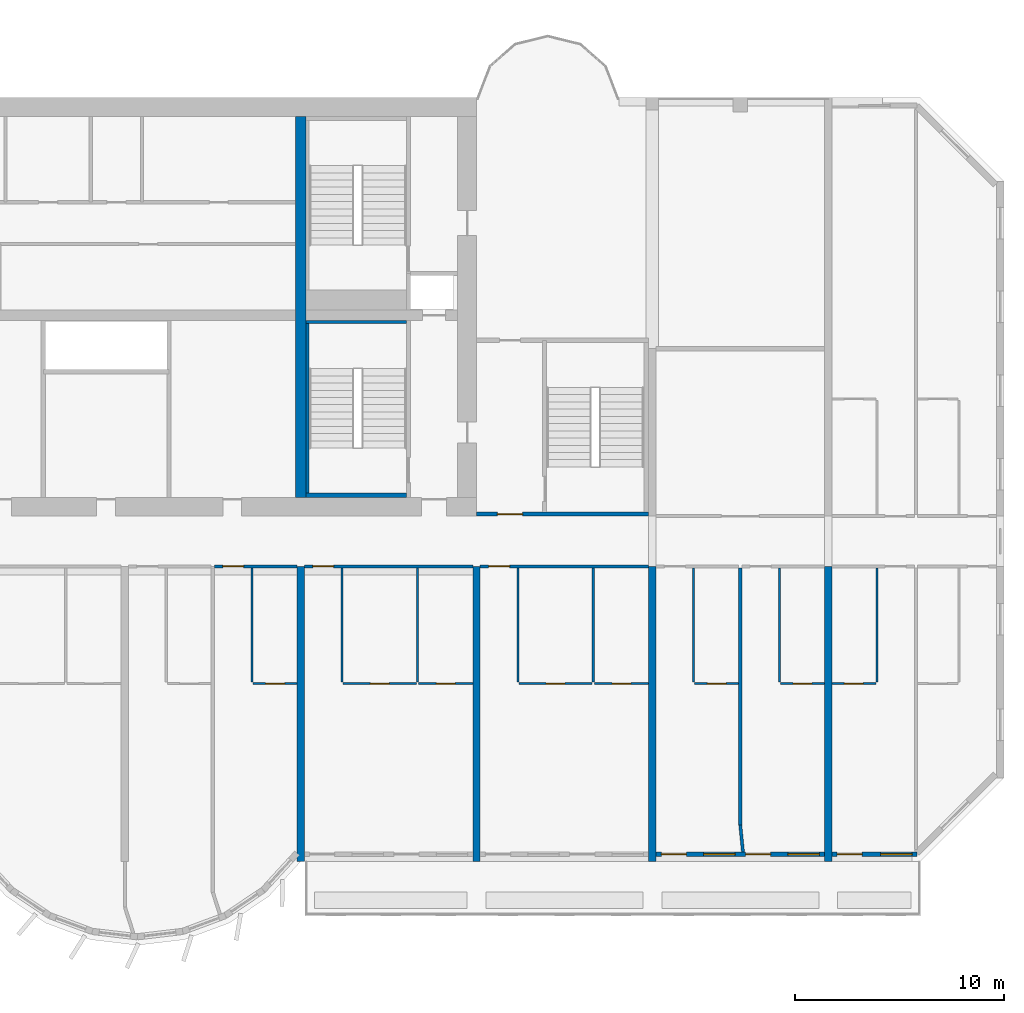
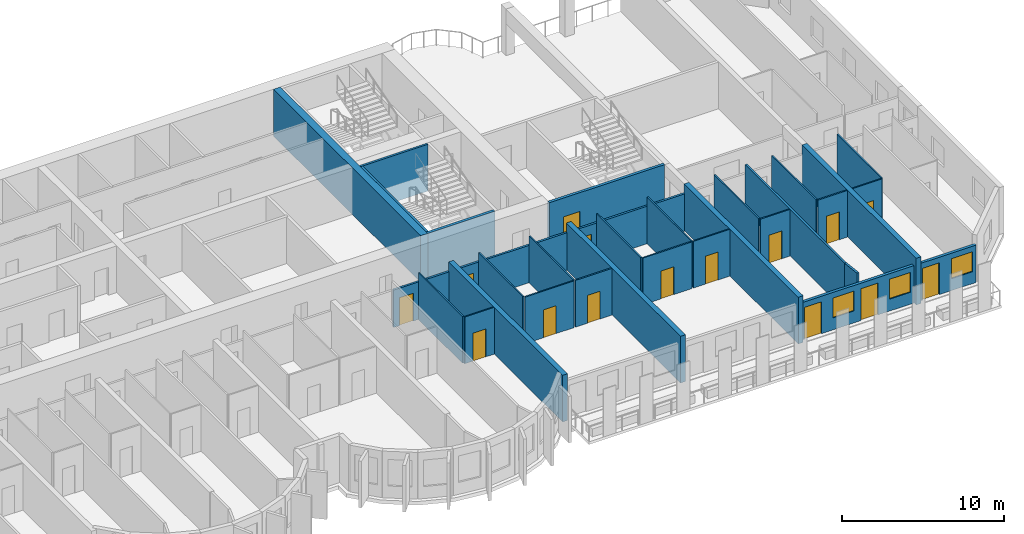
# One storey, part 9 of 15: 32 walls, 15 doors, 3 windows, 18 openings.
"""IFC4 building model written with IfcOpenShell, lengths in metres."""

from ifc_helpers import new_model, si_unit, direction, frame, frame_2d, origin, place, context, subcontext, project, spatial, rectangle, extrude, source, transform, mapped, material, layer, layer_set, type_object, element, fill, save


model = new_model("IFC4")

# Units and contexts
model_context = context("Model", 3, precision=1e-05, world=origin(), true_north=direction((0.0, 1.0)))
body_context = subcontext(model_context, "Body", "Model", "MODEL_VIEW")
ifc_project = project(units=[si_unit("LENGTHUNIT", "METRE"), si_unit("AREAUNIT", "SQUARE_METRE"), si_unit("VOLUMEUNIT", "CUBIC_METRE"), si_unit("PLANEANGLEUNIT", "RADIAN"), si_unit("MASSUNIT", "GRAM", prefix="KILO")], contexts=[model_context])

# Site, building, storey
site_placement = place(None, origin())
site = spatial("IfcSite", under=ifc_project, at=site_placement, CompositionType="ELEMENT")
building_placement = place(site_placement, origin())
building = spatial("IfcBuilding", under=site, at=building_placement, Name="Vanashikhar Sky Hotel", CompositionType="ELEMENT")
storey_placement = place(building_placement, frame((0.0, 0.0, 106.60009765625)))
storey = spatial("IfcBuildingStorey", under=building, at=storey_placement, Name="L25", CompositionType="ELEMENT", Elevation=106.60009765625)

# Walls
ifc_material_1 = material(Name="Concrete M70", Category="concrete")
ifc_layer_1 = layer(ifc_material_1, 0.5)
ifc_layer_set_1 = layer_set([ifc_layer_1], Name="RC core inner wall 500 Concrete M70")
wall_type_1 = type_object("IfcWallType", Name="RC core inner wall 500 Concrete M70", PredefinedType="SHEAR", material=ifc_layer_set_1)
shared_shape_1 = source(origin(), body_context, "Body", "SweptSolid", [
    extrude(rectangle(XDim=18.2001953125, YDim=0.5, at=frame_2d((9.10009765625, 0.0))), origin(), (0.0, 0.0, 1.0), 3.52001953125),
])
wall_1_placement = place(storey_placement, frame((67.199951171875, 22.89990234375, 0.0), z_axis=(0.0, 0.0, 1.0), x_axis=(0.0, 1.0, 0.0)))
element("IfcWall", 1, at=wall_1_placement, inside=storey, type_object=wall_type_1, Name="KW-L25-KX3", PredefinedType="SHEAR", context=body_context, shape_type="MappedRepresentation", body=[
    mapped(shared_shape_1, transform((0.0, 0.0, 0.0), scale=1.0)),
])
ifc_layer_2 = layer(ifc_material_1, 0.35009765625)
ifc_layer_set_2 = layer_set([ifc_layer_2], Name="RC shear wall 350 Concrete M70")
wall_type_2 = type_object("IfcWallType", Name="RC shear wall 350 Concrete M70", PredefinedType="SHEAR", material=ifc_layer_set_2)
shared_shape_2 = source(origin(), body_context, "Body", "SweptSolid", [
    extrude(rectangle(XDim=14.10009765625, YDim=0.35009765625, at=frame_2d((7.050048828125, 0.0))), origin(), (0.0, 0.0, 1.0), 3.52001953125),
])
for number, where, z_axis, x_axis, name in (
    (2, (67.199951171875, 5.5, 0.0), (0.0, 0.0, 1.0), (0.0, 1.0, 0.0), "CW-L25-XW09-1"),
    (3, (75.60009765625, 5.5, 0.0), (0.0, 0.0, 1.0), (0.0, 1.0, 0.0), "CW-L25-XW10-1"),
    (4, (84.0, 5.5, 0.0), (0.0, 0.0, 1.0), (0.0, 1.0, 0.0), "CW-L25-XW11-1"),
    (5, (92.39990234375, 5.5, 0.0), (0.0, 0.0, 1.0), (0.0, 1.0, 0.0), "CW-L25-XW12-1"),
):
    element("IfcWall", number, at=place(storey_placement, frame(where, z_axis=z_axis, x_axis=x_axis)), inside=storey, type_object=wall_type_2, Name=name, PredefinedType="SHEAR", context=body_context, shape_type="MappedRepresentation", body=[
        mapped(shared_shape_2, transform((0.0, 0.0, 0.0), scale=1.0)),
    ])

# Wall, openings, window, door
ifc_material_2 = material(Name="Concrete M50", Category="concrete")
ifc_layer_3 = layer(ifc_material_2, 0.199951171875)
ifc_layer_set_3 = layer_set([ifc_layer_3], Name="Front window wall 200")
wall_type_3 = type_object("IfcWallType", Name="Front window wall 200", PredefinedType="SOLIDWALL", material=ifc_layer_set_3)
shared_shape_3 = source(origin(), body_context, "Body", "SweptSolid", [
    extrude(rectangle(XDim=4.080078125, YDim=0.199951171875, at=frame_2d((2.0400390625, 0.0))), origin(), (0.0, 0.0, 1.0), 2.81982421875),
])
wall_2_placement = place(storey_placement, frame((92.574951171875, 5.85009765625, 0.0), z_axis=(0.0, 0.0, 1.0), x_axis=(1.0, 0.0, 0.0)))
wall_2 = element("IfcWall", 6, at=wall_2_placement, inside=storey, type_object=wall_type_3, Name="Front window wall", PredefinedType="SOLIDWALL", context=body_context, shape_type="MappedRepresentation", body=[
    mapped(shared_shape_3, transform((0.0, 0.0, 0.0), scale=1.0)),
])
shared_shape_4 = source(origin(), body_context, "Body", "SweptSolid", [
    extrude(rectangle(XDim=1.199951171875, YDim=2.39990234375, at=frame_2d((0.60009765625, 1.199951171875))), frame((0.0, 0.10986328125, 0.0), z_axis=(0.0, -1.0, 0.0), x_axis=(1.0, 0.0, 0.0)), (0.0, 0.0, 1.0), 0.219970703125),
])
opening_1_placement = place(wall_2_placement, frame((0.25, 0.0, 0.0)))
opening_1 = element("IfcOpeningElement", 7, at=opening_1_placement, cuts=wall_2, Name="Opening BD-14", PredefinedType="OPENING", context=body_context, shape_type="MappedRepresentation", body=[
    mapped(shared_shape_4, transform((0.0, 0.0, 0.0), scale=1.0)),
])
shared_shape_5 = source(origin(), body_context, "Body", "SweptSolid", [
    extrude(rectangle(XDim=1.5, YDim=1.5, at=frame_2d((0.75, 0.75))), frame((0.0, 0.10986328125, 0.0), z_axis=(0.0, -1.0, 0.0), x_axis=(1.0, 0.0, 0.0)), (0.0, 0.0, 1.0), 0.219970703125),
])
opening_2_placement = place(wall_2_placement, frame((2.330078125, 0.0, 0.89990234375)))
opening_2 = element("IfcOpeningElement", 8, at=opening_2_placement, cuts=wall_2, Name="Opening WN-1", PredefinedType="OPENING", context=body_context, shape_type="MappedRepresentation", body=[
    mapped(shared_shape_5, transform((0.0, 0.0, 0.0), scale=1.0)),
])
ifc_material_3 = material(Name="Glass", Category="glass")
window_type = type_object("IfcWindowType", Name="Window 1500 x 1500", PartitioningType="SINGLE_PANEL", PredefinedType="WINDOW", material=ifc_material_3)
shared_shape_6 = source(origin(), body_context, "Body", "SweptSolid", [
    extrude(rectangle(XDim=1.5, YDim=1.5, at=frame_2d((0.75, 0.75))), frame((0.0, 0.030029296875, 0.0), z_axis=(0.0, -1.0, 0.0), x_axis=(1.0, 0.0, 0.0)), (0.0, 0.0, 1.0), 0.06005859375),
])
window_1_placement = place(opening_2_placement, origin())
window_1 = element("IfcWindow", 9, at=window_1_placement, inside=storey, type_object=window_type, Name="Window WN-1", OverallHeight=1.5, OverallWidth=1.5, PartitioningType="SINGLE_PANEL", PredefinedType="WINDOW", context=body_context, shape_type="MappedRepresentation", body=[
    mapped(shared_shape_6, transform((0.0, 0.0, 0.0), scale=1.0)),
])
fill(opening_2, window_1)
ifc_material_4 = material(Name="Aluminium", Category="aluminium")
door_type_1 = type_object("IfcDoorType", Name="Balcony sliding door 1200 x 2400", OperationType="NOTDEFINED", PredefinedType="DOOR", material=ifc_material_4)
shared_shape_7 = source(origin(), body_context, "Body", "SweptSolid", [
    extrude(rectangle(XDim=1.199951171875, YDim=2.39990234375, at=frame_2d((0.60009765625, 1.199951171875))), frame((0.0, 0.02490234375, 0.0), z_axis=(0.0, -1.0, 0.0), x_axis=(1.0, 0.0, 0.0)), (0.0, 0.0, 1.0), 0.050048828125),
])
door_1_placement = place(opening_1_placement, origin())
door_1 = element("IfcDoor", 10, at=door_1_placement, inside=storey, type_object=door_type_1, Name="Balcony sliding door", OperationType="SLIDING_TO_RIGHT", OverallHeight=2.39990234375, OverallWidth=1.199951171875, PredefinedType="DOOR", context=body_context, shape_type="MappedRepresentation", body=[
    mapped(shared_shape_7, transform((0.0, 0.0, 0.0), scale=1.0)),
])
fill(opening_1, door_1)

# Wall, openings, windows, doors
shared_shape_8 = source(origin(), body_context, "Body", "SweptSolid", [
    extrude(rectangle(XDim=8.050048828125, YDim=0.199951171875, at=frame_2d((4.02490234375, 0.0))), origin(), (0.0, 0.0, 1.0), 2.81982421875),
])
wall_3_placement = place(storey_placement, frame((84.175048828125, 5.85009765625, 0.0), z_axis=(0.0, 0.0, 1.0), x_axis=(1.0, 0.0, 0.0)))
wall_3 = element("IfcWall", 11, at=wall_3_placement, inside=storey, type_object=wall_type_3, Name="Front window wall", PredefinedType="SOLIDWALL", context=body_context, shape_type="MappedRepresentation", body=[
    mapped(shared_shape_8, transform((0.0, 0.0, 0.0), scale=1.0)),
])
opening_3_placement = place(wall_3_placement, frame((0.25, 0.0, 0.0)))
opening_3 = element("IfcOpeningElement", 12, at=opening_3_placement, cuts=wall_3, Name="Opening BD-12", PredefinedType="OPENING", context=body_context, shape_type="MappedRepresentation", body=[
    mapped(shared_shape_4, transform((0.0, 0.0, 0.0), scale=1.0)),
])
opening_4_placement = place(wall_3_placement, frame((2.27490234375, 0.0, 0.89990234375)))
opening_4 = element("IfcOpeningElement", 13, at=opening_4_placement, cuts=wall_3, Name="Opening WN-1", PredefinedType="OPENING", context=body_context, shape_type="MappedRepresentation", body=[
    mapped(shared_shape_5, transform((0.0, 0.0, 0.0), scale=1.0)),
])
opening_5_placement = place(wall_3_placement, frame((4.27490234375, 0.0, 0.0)))
opening_5 = element("IfcOpeningElement", 14, at=opening_5_placement, cuts=wall_3, Name="Opening BD-13", PredefinedType="OPENING", context=body_context, shape_type="MappedRepresentation", body=[
    mapped(shared_shape_4, transform((0.0, 0.0, 0.0), scale=1.0)),
])
opening_6_placement = place(wall_3_placement, frame((6.300048828125, 0.0, 0.89990234375)))
opening_6 = element("IfcOpeningElement", 15, at=opening_6_placement, cuts=wall_3, Name="Opening WN-1", PredefinedType="OPENING", context=body_context, shape_type="MappedRepresentation", body=[
    mapped(shared_shape_5, transform((0.0, 0.0, 0.0), scale=1.0)),
])
window_2_placement = place(opening_4_placement, origin())
window_2 = element("IfcWindow", 16, at=window_2_placement, inside=storey, type_object=window_type, Name="Window WN-1", OverallHeight=1.5, OverallWidth=1.5, PartitioningType="SINGLE_PANEL", PredefinedType="WINDOW", context=body_context, shape_type="MappedRepresentation", body=[
    mapped(shared_shape_6, transform((0.0, 0.0, 0.0), scale=1.0)),
])
fill(opening_4, window_2)
window_3_placement = place(opening_6_placement, origin())
window_3 = element("IfcWindow", 17, at=window_3_placement, inside=storey, type_object=window_type, Name="Window WN-1", OverallHeight=1.5, OverallWidth=1.5, PartitioningType="SINGLE_PANEL", PredefinedType="WINDOW", context=body_context, shape_type="MappedRepresentation", body=[
    mapped(shared_shape_6, transform((0.0, 0.0, 0.0), scale=1.0)),
])
fill(opening_6, window_3)
door_2_placement = place(opening_3_placement, origin())
door_2 = element("IfcDoor", 18, at=door_2_placement, inside=storey, type_object=door_type_1, Name="Balcony sliding door", OperationType="SLIDING_TO_RIGHT", OverallHeight=2.39990234375, OverallWidth=1.199951171875, PredefinedType="DOOR", context=body_context, shape_type="MappedRepresentation", body=[
    mapped(shared_shape_7, transform((0.0, 0.0, 0.0), scale=1.0)),
])
fill(opening_3, door_2)
door_3_placement = place(opening_5_placement, origin())
door_3 = element("IfcDoor", 19, at=door_3_placement, inside=storey, type_object=door_type_1, Name="Balcony sliding door", OperationType="SLIDING_TO_LEFT", OverallHeight=2.39990234375, OverallWidth=1.199951171875, PredefinedType="DOOR", context=body_context, shape_type="MappedRepresentation", body=[
    mapped(shared_shape_7, transform((0.0, 0.0, 0.0), scale=1.0)),
])
fill(opening_5, door_3)

# Wall, opening, door
ifc_layer_4 = layer(ifc_material_2, 0.199951171875)
ifc_layer_set_4 = layer_set([ifc_layer_4], Name="Stair wall 200")
wall_type_4 = type_object("IfcWallType", Name="Stair wall 200", PredefinedType="SOLIDWALL", material=ifc_layer_set_4)
shared_shape_9 = source(origin(), body_context, "Body", "SweptSolid", [
    extrude(rectangle(XDim=8.224853515625, YDim=0.199951171875, at=frame_2d((4.1123046875, 0.0))), origin(), (0.0, 0.0, 1.0), 3.52001953125),
])
wall_4_placement = place(storey_placement, frame((83.824951171875, 22.10009765625, 0.0), z_axis=(0.0, 0.0, 1.0), x_axis=(-1.0, 0.0, 0.0)))
wall_4 = element("IfcWall", 20, at=wall_4_placement, inside=storey, type_object=wall_type_4, Name="Stair wall 200", PredefinedType="SOLIDWALL", context=body_context, shape_type="MappedRepresentation", body=[
    mapped(shared_shape_9, transform((0.0, 0.0, 0.0), scale=1.0)),
])
shared_shape_10 = source(origin(), body_context, "Body", "SweptSolid", [
    extrude(rectangle(XDim=1.199951171875, YDim=2.10009765625, at=frame_2d((0.60009765625, 1.050048828125))), frame((0.0, 0.10986328125, 0.0), z_axis=(0.0, -1.0, 0.0), x_axis=(1.0, 0.0, 0.0)), (0.0, 0.0, 1.0), 0.219970703125),
])
opening_7_placement = place(wall_4_placement, frame((6.02490234375, 0.0, 0.0)))
opening_7 = element("IfcOpeningElement", 21, at=opening_7_placement, cuts=wall_4, Name="Opening DC-2", PredefinedType="OPENING", context=body_context, shape_type="MappedRepresentation", body=[
    mapped(shared_shape_10, transform((0.0, 0.0, 0.0), scale=1.0)),
])
ifc_material_5 = material(Name="Steel", Category="steel")
door_type_2 = type_object("IfcDoorType", Name="Firefighting lobby door 1200 FD120", OperationType="NOTDEFINED", PredefinedType="DOOR", material=ifc_material_5)
shared_shape_11 = source(origin(), body_context, "Body", "SweptSolid", [
    extrude(rectangle(XDim=1.199951171875, YDim=2.10009765625, at=frame_2d((0.60009765625, 1.050048828125))), frame((0.0, 0.02490234375, 0.0), z_axis=(0.0, -1.0, 0.0), x_axis=(1.0, 0.0, 0.0)), (0.0, 0.0, 1.0), 0.050048828125),
])
door_4_placement = place(opening_7_placement, origin())
door_4 = element("IfcDoor", 22, at=door_4_placement, inside=storey, type_object=door_type_2, Name="Firefighting lobby door 1200 FD120", OperationType="SINGLE_SWING_LEFT", OverallHeight=2.10009765625, OverallWidth=1.199951171875, PredefinedType="DOOR", context=body_context, shape_type="MappedRepresentation", body=[
    mapped(shared_shape_11, transform((0.0, 0.0, 0.0), scale=1.0)),
])
fill(opening_7, door_4)

# Walls
ifc_layer_5 = layer(ifc_material_2, 0.199951171875)
ifc_layer_set_5 = layer_set([ifc_layer_5], Name="Stair infill wall 200")
wall_type_5 = type_object("IfcWallType", Name="Stair infill wall 200", PredefinedType="SOLIDWALL", material=ifc_layer_set_5)
shared_shape_12 = source(origin(), body_context, "Body", "SweptSolid", [
    extrude(rectangle(XDim=4.800048828125, YDim=0.199951171875, at=frame_2d((2.39990234375, 0.0))), origin(), (0.0, 0.0, 1.0), 3.52001953125),
])
wall_5_placement = place(storey_placement, frame((67.449951171875, 23.0, 0.0), z_axis=(0.0, 0.0, 1.0), x_axis=(1.0, 0.0, 0.0)))
element("IfcWall", 23, at=wall_5_placement, inside=storey, type_object=wall_type_5, Name="Stair infill wall 200", PredefinedType="SOLIDWALL", context=body_context, shape_type="MappedRepresentation", body=[
    mapped(shared_shape_12, transform((0.0, 0.0, 0.0), scale=1.0)),
])
ifc_layer_6 = layer(ifc_material_2, 0.14990234375)
ifc_layer_set_6 = layer_set([ifc_layer_6], Name="Stair infill wall 150")
wall_type_6 = type_object("IfcWallType", Name="Stair infill wall 150", PredefinedType="SOLIDWALL", material=ifc_layer_set_6)
shared_shape_13 = source(origin(), body_context, "Body", "SweptSolid", [
    extrude(rectangle(XDim=4.800048828125, YDim=0.14990234375, at=frame_2d((2.39990234375, 0.0))), origin(), (0.0, 0.0, 1.0), 3.52001953125),
])
wall_6_placement = place(storey_placement, frame((67.449951171875, 31.27490234375, 0.0), z_axis=(0.0, 0.0, 1.0), x_axis=(1.0, 0.0, 0.0)))
element("IfcWall", 24, at=wall_6_placement, inside=storey, type_object=wall_type_6, Name="Stair infill wall 150", PredefinedType="SOLIDWALL", context=body_context, shape_type="MappedRepresentation", body=[
    mapped(shared_shape_13, transform((0.0, 0.0, 0.0), scale=1.0)),
])
shared_shape_14 = source(origin(), body_context, "Body", "SweptSolid", [
    extrude(rectangle(XDim=8.099853515625, YDim=0.14990234375, at=frame_2d((4.0498046875, 0.0))), origin(), (0.0, 0.0, 1.0), 3.52001953125),
])
wall_7_placement = place(storey_placement, frame((67.52490234375, 23.10009765625, 0.0), z_axis=(0.0, 0.0, 1.0), x_axis=(0.0, 1.0, 0.0)))
element("IfcWall", 25, at=wall_7_placement, inside=storey, type_object=wall_type_6, Name="Stair infill wall 150", PredefinedType="SOLIDWALL", context=body_context, shape_type="MappedRepresentation", body=[
    mapped(shared_shape_14, transform((0.0, 0.0, 0.0), scale=1.0)),
])

# Wall, opening, door
ifc_material_6 = material(Name="Gypsum plasterboard partition")
ifc_layer_7 = layer(ifc_material_6, 0.10009765625)
ifc_layer_set_7 = layer_set([ifc_layer_7], Name="Wet room partition 100")
wall_type_7 = type_object("IfcWallType", Name="Wet room partition 100", PredefinedType="PARTITIONING", material=ifc_layer_set_7)
shared_shape_15 = source(origin(), body_context, "Body", "SweptSolid", [
    extrude(rectangle(XDim=3.5, YDim=0.10009765625, at=frame_2d((1.75, 0.0))), origin(), (0.0, 0.0, 1.0), 3.52001953125),
])
wall_8_placement = place(storey_placement, frame((69.22509765625, 14.0, 0.0), z_axis=(0.0, 0.0, 1.0), x_axis=(1.0, 0.0, 0.0)))
wall_8 = element("IfcWall", 26, at=wall_8_placement, inside=storey, type_object=wall_type_7, Name="W-L25-PW057", PredefinedType="PARTITIONING", context=body_context, shape_type="MappedRepresentation", body=[
    mapped(shared_shape_15, transform((0.0, 0.0, 0.0), scale=1.0)),
])
shared_shape_16 = source(origin(), body_context, "Body", "SweptSolid", [
    extrude(rectangle(XDim=0.89990234375, YDim=2.10009765625, at=frame_2d((0.449951171875, 1.050048828125))), frame((0.0, 0.06005859375, 0.0), z_axis=(0.0, -1.0, 0.0), x_axis=(1.0, 0.0, 0.0)), (0.0, 0.0, 1.0), 0.1201171875),
])
opening_8_placement = place(wall_8_placement, frame((1.300048828125, 0.0, 0.0)))
opening_8 = element("IfcOpeningElement", 27, at=opening_8_placement, cuts=wall_8, Name="Opening D-02", PredefinedType="OPENING", context=body_context, shape_type="MappedRepresentation", body=[
    mapped(shared_shape_16, transform((0.0, 0.0, 0.0), scale=1.0)),
])
ifc_material_7 = material(Name="Timber door", Category="wood")
door_type_3 = type_object("IfcDoorType", Name="Internal door 900", OperationType="NOTDEFINED", PredefinedType="DOOR", material=ifc_material_7)
shared_shape_17 = source(origin(), body_context, "Body", "SweptSolid", [
    extrude(rectangle(XDim=0.89990234375, YDim=2.10009765625, at=frame_2d((0.449951171875, 1.050048828125))), frame((0.0, 0.02490234375, 0.0), z_axis=(0.0, -1.0, 0.0), x_axis=(1.0, 0.0, 0.0)), (0.0, 0.0, 1.0), 0.050048828125),
])
door_5_placement = place(opening_8_placement, origin())
door_5 = element("IfcDoor", 28, at=door_5_placement, inside=storey, type_object=door_type_3, Name="D-L25-032", OperationType="SINGLE_SWING_LEFT", OverallHeight=2.10009765625, OverallWidth=0.89990234375, PredefinedType="DOOR", context=body_context, shape_type="MappedRepresentation", body=[
    mapped(shared_shape_17, transform((0.0, 0.0, 0.0), scale=1.0)),
])
fill(opening_8, door_5)

wall_9_placement = place(storey_placement, frame((77.625, 14.0, 0.0), z_axis=(0.0, 0.0, 1.0), x_axis=(1.0, 0.0, 0.0)))
wall_9 = element("IfcWall", 29, at=wall_9_placement, inside=storey, type_object=wall_type_7, Name="W-L25-PW062", PredefinedType="PARTITIONING", context=body_context, shape_type="MappedRepresentation", body=[
    mapped(shared_shape_15, transform((0.0, 0.0, 0.0), scale=1.0)),
])
opening_9_placement = place(wall_9_placement, frame((1.300048828125, 0.0, 0.0)))
opening_9 = element("IfcOpeningElement", 30, at=opening_9_placement, cuts=wall_9, Name="Opening D-02", PredefinedType="OPENING", context=body_context, shape_type="MappedRepresentation", body=[
    mapped(shared_shape_16, transform((0.0, 0.0, 0.0), scale=1.0)),
])
door_6_placement = place(opening_9_placement, origin())
door_6 = element("IfcDoor", 31, at=door_6_placement, inside=storey, type_object=door_type_3, Name="D-L25-035", OperationType="SINGLE_SWING_LEFT", OverallHeight=2.10009765625, OverallWidth=0.89990234375, PredefinedType="DOOR", context=body_context, shape_type="MappedRepresentation", body=[
    mapped(shared_shape_17, transform((0.0, 0.0, 0.0), scale=1.0)),
])
fill(opening_9, door_6)

# Walls
shared_shape_18 = source(origin(), body_context, "Body", "SweptSolid", [
    extrude(rectangle(XDim=5.449951171875, YDim=0.10009765625, at=frame_2d((2.72509765625, 0.0))), origin(), (0.0, 0.0, 1.0), 3.52001953125),
])
for number, where, z_axis, x_axis, name in (
    (32, (64.875, 14.074951171875, 0.0), (0.0, 0.0, 1.0), (0.0, 1.0, 0.0), "W-L25-PW051"),
    (33, (69.175048828125, 14.074951171875, 0.0), (0.0, 0.0, 1.0), (0.0, 1.0, 0.0), "W-L25-PW055"),
    (34, (72.77490234375, 14.074951171875, 0.0), (0.0, 0.0, 1.0), (0.0, 1.0, 0.0), "W-L25-PW056"),
    (35, (77.574951171875, 14.074951171875, 0.0), (0.0, 0.0, 1.0), (0.0, 1.0, 0.0), "W-L25-PW060"),
    (36, (81.175048828125, 14.074951171875, 0.0), (0.0, 0.0, 1.0), (0.0, 1.0, 0.0), "W-L25-PW061"),
    (37, (85.97509765625, 14.074951171875, 0.0), (0.0, 0.0, 1.0), (0.0, 1.0, 0.0), "W-L25-PW065"),
    (38, (90.074951171875, 14.074951171875, 0.0), (0.0, 0.0, 1.0), (0.0, 1.0, 0.0), "W-L25-PW068"),
    (39, (94.72509765625, 14.074951171875, 0.0), (0.0, 0.0, 1.0), (0.0, 1.0, 0.0), "W-L25-PW072"),
):
    element("IfcWall", number, at=place(storey_placement, frame(where, z_axis=z_axis, x_axis=x_axis)), inside=storey, type_object=wall_type_7, Name=name, PredefinedType="PARTITIONING", context=body_context, shape_type="MappedRepresentation", body=[
        mapped(shared_shape_18, transform((0.0, 0.0, 0.0), scale=1.0)),
    ])

# Wall, opening, door
shared_shape_19 = source(origin(), body_context, "Body", "SweptSolid", [
    extrude(rectangle(XDim=2.10009765625, YDim=0.10009765625, at=frame_2d((1.050048828125, 0.0))), origin(), (0.0, 0.0, 1.0), 3.52001953125),
])
wall_10_placement = place(storey_placement, frame((86.02490234375, 14.0, 0.0), z_axis=(0.0, 0.0, 1.0), x_axis=(1.0, 0.0, 0.0)))
wall_10 = element("IfcWall", 40, at=wall_10_placement, inside=storey, type_object=wall_type_7, Name="W-L25-PW066", PredefinedType="PARTITIONING", context=body_context, shape_type="MappedRepresentation", body=[
    mapped(shared_shape_19, transform((0.0, 0.0, 0.0), scale=1.0)),
])
opening_10_placement = place(wall_10_placement, frame((0.60009765625, 0.0, 0.0)))
opening_10 = element("IfcOpeningElement", 41, at=opening_10_placement, cuts=wall_10, Name="Opening D-02", PredefinedType="OPENING", context=body_context, shape_type="MappedRepresentation", body=[
    mapped(shared_shape_16, transform((0.0, 0.0, 0.0), scale=1.0)),
])
door_7_placement = place(opening_10_placement, origin())
door_7 = element("IfcDoor", 42, at=door_7_placement, inside=storey, type_object=door_type_3, Name="D-L25-038", OperationType="SINGLE_SWING_LEFT", OverallHeight=2.10009765625, OverallWidth=0.89990234375, PredefinedType="DOOR", context=body_context, shape_type="MappedRepresentation", body=[
    mapped(shared_shape_17, transform((0.0, 0.0, 0.0), scale=1.0)),
])
fill(opening_10, door_7)

wall_11_placement = place(storey_placement, frame((90.125, 14.0, 0.0), z_axis=(0.0, 0.0, 1.0), x_axis=(1.0, 0.0, 0.0)))
wall_11 = element("IfcWall", 43, at=wall_11_placement, inside=storey, type_object=wall_type_7, Name="W-L25-PW069", PredefinedType="PARTITIONING", context=body_context, shape_type="MappedRepresentation", body=[
    mapped(shared_shape_19, transform((0.0, 0.0, 0.0), scale=1.0)),
])
opening_11_placement = place(wall_11_placement, frame((0.60009765625, 0.0, 0.0)))
opening_11 = element("IfcOpeningElement", 44, at=opening_11_placement, cuts=wall_11, Name="Opening D-02", PredefinedType="OPENING", context=body_context, shape_type="MappedRepresentation", body=[
    mapped(shared_shape_16, transform((0.0, 0.0, 0.0), scale=1.0)),
])
door_8_placement = place(opening_11_placement, origin())
door_8 = element("IfcDoor", 45, at=door_8_placement, inside=storey, type_object=door_type_3, Name="D-L25-040", OperationType="SINGLE_SWING_LEFT", OverallHeight=2.10009765625, OverallWidth=0.89990234375, PredefinedType="DOOR", context=body_context, shape_type="MappedRepresentation", body=[
    mapped(shared_shape_17, transform((0.0, 0.0, 0.0), scale=1.0)),
])
fill(opening_11, door_8)

wall_12_placement = place(storey_placement, frame((92.574951171875, 14.0, 0.0), z_axis=(0.0, 0.0, 1.0), x_axis=(1.0, 0.0, 0.0)))
wall_12 = element("IfcWall", 46, at=wall_12_placement, inside=storey, type_object=wall_type_7, Name="W-L25-PW073", PredefinedType="PARTITIONING", context=body_context, shape_type="MappedRepresentation", body=[
    mapped(shared_shape_19, transform((0.0, 0.0, 0.0), scale=1.0)),
])
opening_12_placement = place(wall_12_placement, frame((0.60009765625, 0.0, 0.0)))
opening_12 = element("IfcOpeningElement", 47, at=opening_12_placement, cuts=wall_12, Name="Opening D-02", PredefinedType="OPENING", context=body_context, shape_type="MappedRepresentation", body=[
    mapped(shared_shape_16, transform((0.0, 0.0, 0.0), scale=1.0)),
])
door_9_placement = place(opening_12_placement, origin())
door_9 = element("IfcDoor", 48, at=door_9_placement, inside=storey, type_object=door_type_3, Name="D-L25-042", OperationType="SINGLE_SWING_RIGHT", OverallHeight=2.10009765625, OverallWidth=0.89990234375, PredefinedType="DOOR", context=body_context, shape_type="MappedRepresentation", body=[
    mapped(shared_shape_17, transform((0.0, 0.0, 0.0), scale=1.0)),
])
fill(opening_12, door_9)

shared_shape_20 = source(origin(), body_context, "Body", "SweptSolid", [
    extrude(rectangle(XDim=2.60009765625, YDim=0.10009765625, at=frame_2d((1.300048828125, 0.0))), origin(), (0.0, 0.0, 1.0), 3.52001953125),
])
wall_13_placement = place(storey_placement, frame((72.824951171875, 14.0, 0.0), z_axis=(0.0, 0.0, 1.0), x_axis=(1.0, 0.0, 0.0)))
wall_13 = element("IfcWall", 49, at=wall_13_placement, inside=storey, type_object=wall_type_7, Name="W-L25-PW058", PredefinedType="PARTITIONING", context=body_context, shape_type="MappedRepresentation", body=[
    mapped(shared_shape_20, transform((0.0, 0.0, 0.0), scale=1.0)),
])
opening_13_placement = place(wall_13_placement, frame((0.85009765625, 0.0, 0.0)))
opening_13 = element("IfcOpeningElement", 50, at=opening_13_placement, cuts=wall_13, Name="Opening D-02", PredefinedType="OPENING", context=body_context, shape_type="MappedRepresentation", body=[
    mapped(shared_shape_16, transform((0.0, 0.0, 0.0), scale=1.0)),
])
door_10_placement = place(opening_13_placement, origin())
door_10 = element("IfcDoor", 51, at=door_10_placement, inside=storey, type_object=door_type_3, Name="D-L25-033", OperationType="SINGLE_SWING_LEFT", OverallHeight=2.10009765625, OverallWidth=0.89990234375, PredefinedType="DOOR", context=body_context, shape_type="MappedRepresentation", body=[
    mapped(shared_shape_17, transform((0.0, 0.0, 0.0), scale=1.0)),
])
fill(opening_13, door_10)

shared_shape_21 = source(origin(), body_context, "Body", "SweptSolid", [
    extrude(rectangle(XDim=2.099853515625, YDim=0.10009765625, at=frame_2d((1.0498046875, 0.0))), origin(), (0.0, 0.0, 1.0), 3.52001953125),
])
wall_14_placement = place(storey_placement, frame((64.925048828125, 14.0, 0.0), z_axis=(0.0, 0.0, 1.0), x_axis=(1.0, 0.0, 0.0)))
wall_14 = element("IfcWall", 52, at=wall_14_placement, inside=storey, type_object=wall_type_7, Name="W-L25-PW052", PredefinedType="PARTITIONING", context=body_context, shape_type="MappedRepresentation", body=[
    mapped(shared_shape_21, transform((0.0, 0.0, 0.0), scale=1.0)),
])
opening_14_placement = place(wall_14_placement, frame((0.60009765625, 0.0, 0.0)))
opening_14 = element("IfcOpeningElement", 53, at=opening_14_placement, cuts=wall_14, Name="Opening D-02", PredefinedType="OPENING", context=body_context, shape_type="MappedRepresentation", body=[
    mapped(shared_shape_16, transform((0.0, 0.0, 0.0), scale=1.0)),
])
door_11_placement = place(opening_14_placement, origin())
door_11 = element("IfcDoor", 54, at=door_11_placement, inside=storey, type_object=door_type_3, Name="D-L25-030", OperationType="SINGLE_SWING_LEFT", OverallHeight=2.10009765625, OverallWidth=0.89990234375, PredefinedType="DOOR", context=body_context, shape_type="MappedRepresentation", body=[
    mapped(shared_shape_17, transform((0.0, 0.0, 0.0), scale=1.0)),
])
fill(opening_14, door_11)

# Wall
ifc_layer_8 = layer(ifc_material_6, 0.14990234375)
ifc_layer_set_8 = layer_set([ifc_layer_8], Name="Corridor and demising partition 150")
wall_type_8 = type_object("IfcWallType", Name="Corridor and demising partition 150", PredefinedType="PARTITIONING", material=ifc_layer_set_8)
shared_shape_22 = source(origin(), body_context, "Body", "SweptSolid", [
    extrude(rectangle(XDim=12.27490234375, YDim=0.14990234375, at=frame_2d((6.137451171875, 0.0))), origin(), (0.0, 0.0, 1.0), 3.52001953125),
])
wall_15_placement = place(storey_placement, frame((88.199951171875, 7.25, 0.0), z_axis=(0.0, 0.0, 1.0), x_axis=(0.0, 1.0, 0.0)))
element("IfcWall", 55, at=wall_15_placement, inside=storey, type_object=wall_type_8, Name="W-L25-PW071", PredefinedType="PARTITIONING", context=body_context, shape_type="MappedRepresentation", body=[
    mapped(shared_shape_22, transform((0.0, 0.0, 0.0), scale=1.0)),
])

# Wall, opening, door
shared_shape_23 = source(origin(), body_context, "Body", "SweptSolid", [
    extrude(rectangle(XDim=2.599853515625, YDim=0.10009765625, at=frame_2d((1.2998046875, 0.0))), origin(), (0.0, 0.0, 1.0), 3.52001953125),
])
wall_16_placement = place(storey_placement, frame((81.22509765625, 14.0, 0.0), z_axis=(0.0, 0.0, 1.0), x_axis=(1.0, 0.0, 0.0)))
wall_16 = element("IfcWall", 56, at=wall_16_placement, inside=storey, type_object=wall_type_7, Name="W-L25-PW063", PredefinedType="PARTITIONING", context=body_context, shape_type="MappedRepresentation", body=[
    mapped(shared_shape_23, transform((0.0, 0.0, 0.0), scale=1.0)),
])
opening_15_placement = place(wall_16_placement, frame((0.85009765625, 0.0, 0.0)))
opening_15 = element("IfcOpeningElement", 57, at=opening_15_placement, cuts=wall_16, Name="Opening D-02", PredefinedType="OPENING", context=body_context, shape_type="MappedRepresentation", body=[
    mapped(shared_shape_16, transform((0.0, 0.0, 0.0), scale=1.0)),
])
door_12_placement = place(opening_15_placement, origin())
door_12 = element("IfcDoor", 58, at=door_12_placement, inside=storey, type_object=door_type_3, Name="D-L25-036", OperationType="SINGLE_SWING_LEFT", OverallHeight=2.10009765625, OverallWidth=0.89990234375, PredefinedType="DOOR", context=body_context, shape_type="MappedRepresentation", body=[
    mapped(shared_shape_17, transform((0.0, 0.0, 0.0), scale=1.0)),
])
fill(opening_15, door_12)

# Wall
shared_shape_24 = source(origin(), body_context, "Body", "SweptSolid", [
    extrude(rectangle(XDim=1.306640625, YDim=0.14990234375, at=frame_2d((0.6533203125, 0.0))), origin(), (0.0, 0.0, 1.0), 3.52001953125),
])
wall_17_placement = place(storey_placement, frame((88.330078125, 5.949951171875, 0.0), z_axis=(0.0, 0.0, 1.0), x_axis=(-0.099596223396, 0.99502793543, 0.0)))
element("IfcWall", 59, at=wall_17_placement, inside=storey, type_object=wall_type_8, Name="W-L25-PW071B0", PredefinedType="PARTITIONING", context=body_context, shape_type="MappedRepresentation", body=[
    mapped(shared_shape_24, transform((0.0, 0.0, 0.0), scale=1.0)),
])

# Wall, opening, door
shared_shape_25 = source(origin(), body_context, "Body", "SweptSolid", [
    extrude(rectangle(XDim=3.949951171875, YDim=0.14990234375, at=frame_2d((1.97509765625, 0.0))), origin(), (0.0, 0.0, 1.0), 2.81982421875),
])
wall_18_placement = place(storey_placement, frame((63.074951171875, 19.60009765625, 0.0), z_axis=(0.0, 0.0, 1.0), x_axis=(1.0, 0.0, 0.0)))
wall_18 = element("IfcWall", 60, at=wall_18_placement, inside=storey, type_object=wall_type_8, Name="W-L25-PW053", PredefinedType="PARTITIONING", context=body_context, shape_type="MappedRepresentation", body=[
    mapped(shared_shape_25, transform((0.0, 0.0, 0.0), scale=1.0)),
])
shared_shape_26 = source(origin(), body_context, "Body", "SweptSolid", [
    extrude(rectangle(XDim=1.0, YDim=2.10009765625, at=frame_2d((0.5, 1.050048828125))), frame((0.0, 0.0849609375, 0.0), z_axis=(0.0, -1.0, 0.0), x_axis=(1.0, 0.0, 0.0)), (0.0, 0.0, 1.0), 0.169921875),
])
opening_16_placement = place(wall_18_placement, frame((0.39990234375, 0.0, 0.0)))
opening_16 = element("IfcOpeningElement", 61, at=opening_16_placement, cuts=wall_18, Name="Opening D-01", PredefinedType="OPENING", context=body_context, shape_type="MappedRepresentation", body=[
    mapped(shared_shape_26, transform((0.0, 0.0, 0.0), scale=1.0)),
])
ifc_material_8 = material(Name="Timber fire door", Category="wood")
door_type_4 = type_object("IfcDoorType", Name="Guest entry door 1000 FD30S", OperationType="NOTDEFINED", PredefinedType="DOOR", material=ifc_material_8)
shared_shape_27 = source(origin(), body_context, "Body", "SweptSolid", [
    extrude(rectangle(XDim=1.0, YDim=2.10009765625, at=frame_2d((0.5, 1.050048828125))), frame((0.0, 0.02490234375, 0.0), z_axis=(0.0, -1.0, 0.0), x_axis=(1.0, 0.0, 0.0)), (0.0, 0.0, 1.0), 0.050048828125),
])
door_13_placement = place(opening_16_placement, origin())
door_13 = element("IfcDoor", 62, at=door_13_placement, inside=storey, type_object=door_type_4, Name="D-L25-031", OperationType="SINGLE_SWING_LEFT", OverallHeight=2.10009765625, OverallWidth=1.0, PredefinedType="DOOR", context=body_context, shape_type="MappedRepresentation", body=[
    mapped(shared_shape_27, transform((0.0, 0.0, 0.0), scale=1.0)),
])
fill(opening_16, door_13)

shared_shape_28 = source(origin(), body_context, "Body", "SweptSolid", [
    extrude(rectangle(XDim=8.050048828125, YDim=0.14990234375, at=frame_2d((4.02490234375, 0.0))), origin(), (0.0, 0.0, 1.0), 2.81982421875),
])
wall_19_placement = place(storey_placement, frame((67.375, 19.60009765625, 0.0), z_axis=(0.0, 0.0, 1.0), x_axis=(1.0, 0.0, 0.0)))
wall_19 = element("IfcWall", 63, at=wall_19_placement, inside=storey, type_object=wall_type_8, Name="W-L25-PW059", PredefinedType="PARTITIONING", context=body_context, shape_type="MappedRepresentation", body=[
    mapped(shared_shape_28, transform((0.0, 0.0, 0.0), scale=1.0)),
])
opening_17_placement = place(wall_19_placement, frame((0.39990234375, 0.0, 0.0)))
opening_17 = element("IfcOpeningElement", 64, at=opening_17_placement, cuts=wall_19, Name="Opening D-01", PredefinedType="OPENING", context=body_context, shape_type="MappedRepresentation", body=[
    mapped(shared_shape_26, transform((0.0, 0.0, 0.0), scale=1.0)),
])
door_14_placement = place(opening_17_placement, origin())
door_14 = element("IfcDoor", 65, at=door_14_placement, inside=storey, type_object=door_type_4, Name="D-L25-034", OperationType="SINGLE_SWING_LEFT", OverallHeight=2.10009765625, OverallWidth=1.0, PredefinedType="DOOR", context=body_context, shape_type="MappedRepresentation", body=[
    mapped(shared_shape_27, transform((0.0, 0.0, 0.0), scale=1.0)),
])
fill(opening_17, door_14)

wall_20_placement = place(storey_placement, frame((75.77490234375, 19.60009765625, 0.0), z_axis=(0.0, 0.0, 1.0), x_axis=(1.0, 0.0, 0.0)))
wall_20 = element("IfcWall", 66, at=wall_20_placement, inside=storey, type_object=wall_type_8, Name="W-L25-PW064", PredefinedType="PARTITIONING", context=body_context, shape_type="MappedRepresentation", body=[
    mapped(shared_shape_28, transform((0.0, 0.0, 0.0), scale=1.0)),
])
opening_18_placement = place(wall_20_placement, frame((0.39990234375, 0.0, 0.0)))
opening_18 = element("IfcOpeningElement", 67, at=opening_18_placement, cuts=wall_20, Name="Opening D-01", PredefinedType="OPENING", context=body_context, shape_type="MappedRepresentation", body=[
    mapped(shared_shape_26, transform((0.0, 0.0, 0.0), scale=1.0)),
])
door_15_placement = place(opening_18_placement, origin())
door_15 = element("IfcDoor", 68, at=door_15_placement, inside=storey, type_object=door_type_4, Name="D-L25-037", OperationType="SINGLE_SWING_LEFT", OverallHeight=2.10009765625, OverallWidth=1.0, PredefinedType="DOOR", context=body_context, shape_type="MappedRepresentation", body=[
    mapped(shared_shape_27, transform((0.0, 0.0, 0.0), scale=1.0)),
])
fill(opening_18, door_15)

save(model, "model.ifc")
